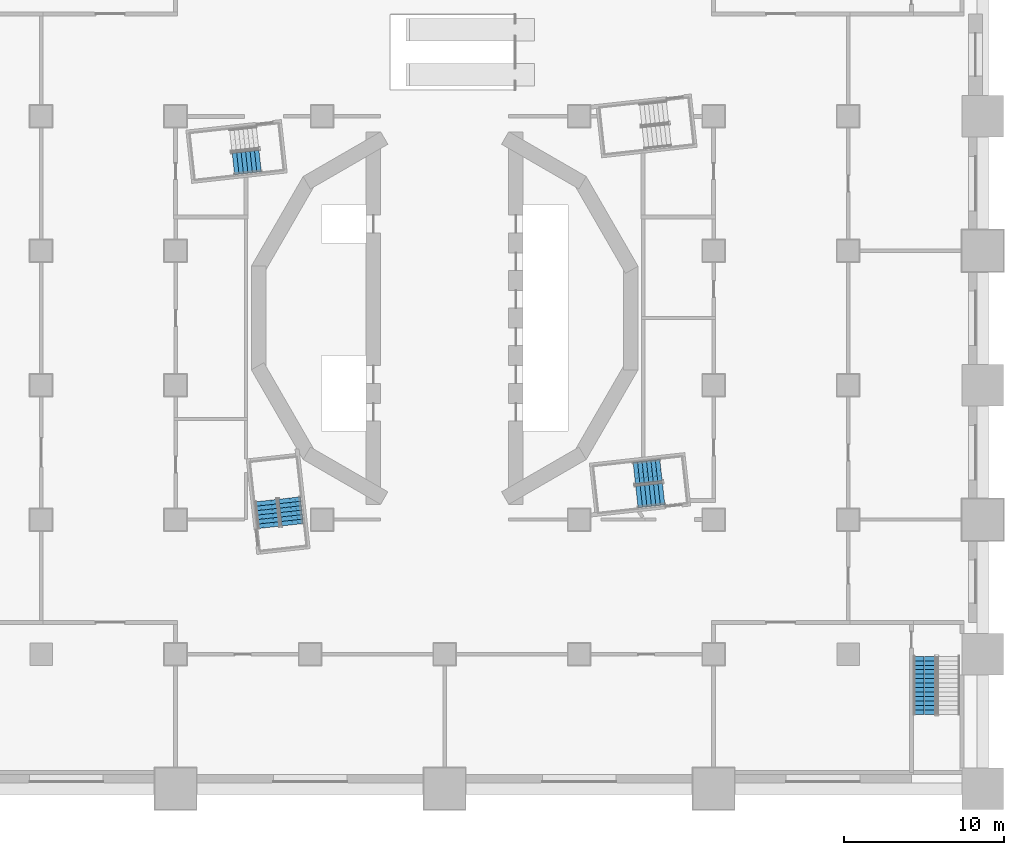
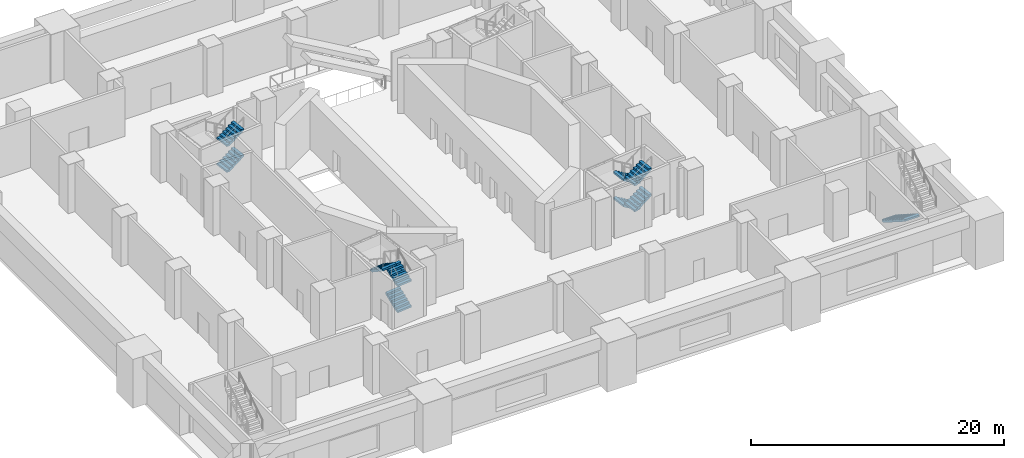
# One storey, part 6 of 18: 10 stair flights, 4 elements without a shape of their own.
"""IFC4 building model written with IfcOpenShell, lengths in metres."""

from ifc_helpers import new_model, si_unit, direction, frame, origin, place, context, subcontext, project, spatial, polyline, outline, extrude, material, type_object, element, aggregate, save


model = new_model("IFC4")

# Units and contexts
model_context = context("Model", 3, precision=1e-05, world=origin(), true_north=direction((0.0, 1.0)))
body_context = subcontext(model_context, "Body", "Model", "MODEL_VIEW")
ifc_project = project(units=[si_unit("LENGTHUNIT", "METRE"), si_unit("AREAUNIT", "SQUARE_METRE"), si_unit("VOLUMEUNIT", "CUBIC_METRE"), si_unit("PLANEANGLEUNIT", "RADIAN"), si_unit("MASSUNIT", "GRAM", prefix="KILO")], contexts=[model_context])

# Site, building, storey
site_placement = place(None, origin())
site = spatial("IfcSite", under=ifc_project, at=site_placement, CompositionType="ELEMENT")
building_placement = place(site_placement, origin())
building = spatial("IfcBuilding", under=site, at=building_placement, Name="Cantera Rosa Tower", CompositionType="ELEMENT")
storey_placement = place(building_placement, frame((0.0, 0.0, 17.0)))
storey = spatial("IfcBuildingStorey", under=building, at=storey_placement, Name="L02", CompositionType="ELEMENT", Elevation=17.0)

# Stair, stair flights
ifc_material_1 = material(Name="Concrete C35/45", Category="concrete")
stair_type_1 = type_object("IfcStairType", Name="EXIT STAIR 1350 DOGLEG", PredefinedType="HALF_TURN_STAIR", material=ifc_material_1)
stair_1_placement = place(storey_placement, origin())
stair_1 = element("IfcStair", 1, at=stair_1_placement, inside=storey, type_object=stair_type_1, Name="L02 ST-12", PredefinedType="HALF_TURN_STAIR")
ifc_material_2 = material(Name="Concrete C35/45", Category="concrete")
stair_flight_type_1 = type_object("IfcStairFlightType", Name="STAIR FLIGHT 1350 R28x179", PredefinedType="STRAIGHT", material=ifc_material_2)
stair_flight_1_placement = place(storey_placement, frame((-13.195556640625, 9.623779296875, 1.25), z_axis=(0.0, 0.0, 1.0), x_axis=(0.993896947056, 0.110312549749, 0.0)))
stair_flight_1 = element("IfcStairFlight", 2, at=stair_flight_1_placement, type_object=stair_flight_type_1, Name="ST-12 flight 2", NumberOfRisers=7, NumberOfTreads=6, PredefinedType="STRAIGHT", RiserHeight=0.178571429, TreadLength=0.28, context=body_context, shape_type="SweptSolid", body=[
    extrude(outline(polyline([(0.0, 0.0), (0.0, 0.178466796875), (0.280029296875, 0.178466796875), (0.280029296875, 0.357177734375), (0.56005859375, 0.357177734375), (0.56005859375, 0.53564453125), (0.840087890625, 0.53564453125), (0.840087890625, 0.71435546875), (1.1201171875, 0.71435546875), (1.1201171875, 0.892822265625), (1.39990234375, 0.892822265625), (1.39990234375, 1.071533203125), (1.679931640625, 1.071533203125), (1.679931640625, 1.25), (1.679931640625, 0.8935546875), (0.27880859375, 0.0), (0.0, 0.0)])), frame((0.0, 0.675048828125, 0.0), z_axis=(0.0, -1.0, 0.0), x_axis=(1.0, 0.0, 0.0)), (0.0, 0.0, 1.0), 0.3359375),
    extrude(outline(polyline([(0.0, 0.0), (0.0, 0.178466796875), (0.280029296875, 0.178466796875), (0.280029296875, 0.357177734375), (0.56005859375, 0.357177734375), (0.56005859375, 0.53564453125), (0.840087890625, 0.53564453125), (0.840087890625, 0.71435546875), (1.1201171875, 0.71435546875), (1.1201171875, 0.892822265625), (1.39990234375, 0.892822265625), (1.39990234375, 1.071533203125), (1.679931640625, 1.071533203125), (1.679931640625, 1.25), (1.679931640625, 0.8935546875), (0.27880859375, 0.0), (0.0, 0.0)])), frame((0.0, 0.337158203125, 0.0), z_axis=(0.0, -1.0, 0.0), x_axis=(1.0, 0.0, 0.0)), (0.0, 0.0, 1.0), 0.3359375),
    extrude(outline(polyline([(0.0, 0.0), (0.0, 0.178466796875), (0.280029296875, 0.178466796875), (0.280029296875, 0.357177734375), (0.56005859375, 0.357177734375), (0.56005859375, 0.53564453125), (0.840087890625, 0.53564453125), (0.840087890625, 0.71435546875), (1.1201171875, 0.71435546875), (1.1201171875, 0.892822265625), (1.39990234375, 0.892822265625), (1.39990234375, 1.071533203125), (1.679931640625, 1.071533203125), (1.679931640625, 1.25), (1.679931640625, 0.8935546875), (0.27880859375, 0.0), (0.0, 0.0)])), frame((0.0, -0.000732421875, 0.0), z_axis=(0.0, -1.0, 0.0), x_axis=(1.0, 0.0, 0.0)), (0.0, 0.0, 1.0), 0.3359375),
    extrude(outline(polyline([(0.0, 0.0), (0.0, 0.178466796875), (0.280029296875, 0.178466796875), (0.280029296875, 0.357177734375), (0.56005859375, 0.357177734375), (0.56005859375, 0.53564453125), (0.840087890625, 0.53564453125), (0.840087890625, 0.71435546875), (1.1201171875, 0.71435546875), (1.1201171875, 0.892822265625), (1.39990234375, 0.892822265625), (1.39990234375, 1.071533203125), (1.679931640625, 1.071533203125), (1.679931640625, 1.25), (1.679931640625, 0.8935546875), (0.27880859375, 0.0), (0.0, 0.0)])), frame((0.0, -0.338623046875, 0.0), z_axis=(0.0, -1.0, 0.0), x_axis=(1.0, 0.0, 0.0)), (0.0, 0.0, 1.0), 0.3359375),
])
stair_flight_2_placement = place(storey_placement, frame((-13.195556640625, 9.623779296875, 3.75), z_axis=(0.0, 0.0, 1.0), x_axis=(0.993896947056, 0.110312549749, 0.0)))
stair_flight_2 = element("IfcStairFlight", 3, at=stair_flight_2_placement, type_object=stair_flight_type_1, Name="ST-12 flight 4", NumberOfRisers=7, NumberOfTreads=6, PredefinedType="STRAIGHT", RiserHeight=0.178571429, TreadLength=0.28, context=body_context, shape_type="SweptSolid", body=[
    extrude(outline(polyline([(0.0, 0.0), (0.0, 0.178466796875), (0.280029296875, 0.178466796875), (0.280029296875, 0.357177734375), (0.56005859375, 0.357177734375), (0.56005859375, 0.53564453125), (0.840087890625, 0.53564453125), (0.840087890625, 0.71435546875), (1.1201171875, 0.71435546875), (1.1201171875, 0.892822265625), (1.39990234375, 0.892822265625), (1.39990234375, 1.071533203125), (1.679931640625, 1.071533203125), (1.679931640625, 1.25), (1.679931640625, 0.8935546875), (0.27880859375, 0.0), (0.0, 0.0)])), frame((0.0, 0.675048828125, 0.0), z_axis=(0.0, -1.0, 0.0), x_axis=(1.0, 0.0, 0.0)), (0.0, 0.0, 1.0), 0.3359375),
    extrude(outline(polyline([(0.0, 0.0), (0.0, 0.178466796875), (0.280029296875, 0.178466796875), (0.280029296875, 0.357177734375), (0.56005859375, 0.357177734375), (0.56005859375, 0.53564453125), (0.840087890625, 0.53564453125), (0.840087890625, 0.71435546875), (1.1201171875, 0.71435546875), (1.1201171875, 0.892822265625), (1.39990234375, 0.892822265625), (1.39990234375, 1.071533203125), (1.679931640625, 1.071533203125), (1.679931640625, 1.25), (1.679931640625, 0.8935546875), (0.27880859375, 0.0), (0.0, 0.0)])), frame((0.0, 0.337158203125, 0.0), z_axis=(0.0, -1.0, 0.0), x_axis=(1.0, 0.0, 0.0)), (0.0, 0.0, 1.0), 0.3359375),
    extrude(outline(polyline([(0.0, 0.0), (0.0, 0.178466796875), (0.280029296875, 0.178466796875), (0.280029296875, 0.357177734375), (0.56005859375, 0.357177734375), (0.56005859375, 0.53564453125), (0.840087890625, 0.53564453125), (0.840087890625, 0.71435546875), (1.1201171875, 0.71435546875), (1.1201171875, 0.892822265625), (1.39990234375, 0.892822265625), (1.39990234375, 1.071533203125), (1.679931640625, 1.071533203125), (1.679931640625, 1.25), (1.679931640625, 0.8935546875), (0.27880859375, 0.0), (0.0, 0.0)])), frame((0.0, -0.000732421875, 0.0), z_axis=(0.0, -1.0, 0.0), x_axis=(1.0, 0.0, 0.0)), (0.0, 0.0, 1.0), 0.3359375),
    extrude(outline(polyline([(0.0, 0.0), (0.0, 0.178466796875), (0.280029296875, 0.178466796875), (0.280029296875, 0.357177734375), (0.56005859375, 0.357177734375), (0.56005859375, 0.53564453125), (0.840087890625, 0.53564453125), (0.840087890625, 0.71435546875), (1.1201171875, 0.71435546875), (1.1201171875, 0.892822265625), (1.39990234375, 0.892822265625), (1.39990234375, 1.071533203125), (1.679931640625, 1.071533203125), (1.679931640625, 1.25), (1.679931640625, 0.8935546875), (0.27880859375, 0.0), (0.0, 0.0)])), frame((0.0, -0.338623046875, 0.0), z_axis=(0.0, -1.0, 0.0), x_axis=(1.0, 0.0, 0.0)), (0.0, 0.0, 1.0), 0.3359375),
])
aggregate(stair_1, [stair_flight_1, stair_flight_2])

stair_2_placement = place(storey_placement, origin())
stair_2 = element("IfcStair", 4, at=stair_2_placement, inside=storey, type_object=stair_type_1, Name="L02 ST-13", PredefinedType="HALF_TURN_STAIR")
stair_flight_3_placement = place(storey_placement, frame((-9.500244140625, -12.90869140625, 0.0), z_axis=(0.0, 0.0, 1.0), x_axis=(-0.110312549749, 0.993896947056, 0.0)))
stair_flight_3 = element("IfcStairFlight", 5, at=stair_flight_3_placement, type_object=stair_flight_type_1, Name="ST-13 flight 1", NumberOfRisers=7, NumberOfTreads=6, PredefinedType="STRAIGHT", RiserHeight=0.178571429, TreadLength=0.28, context=body_context, shape_type="SweptSolid", body=[
    extrude(outline(polyline([(0.0, 0.0), (0.0, 0.178466796875), (0.280029296875, 0.178466796875), (0.280029296875, 0.357177734375), (0.56005859375, 0.357177734375), (0.56005859375, 0.53564453125), (0.840087890625, 0.53564453125), (0.840087890625, 0.71435546875), (1.1201171875, 0.71435546875), (1.1201171875, 0.892822265625), (1.39990234375, 0.892822265625), (1.39990234375, 1.071533203125), (1.679931640625, 1.071533203125), (1.679931640625, 1.25), (1.679931640625, 0.8935546875), (0.27880859375, 0.0), (0.0, 0.0)])), frame((0.0, 0.675048828125, 0.0), z_axis=(0.0, -1.0, 0.0), x_axis=(1.0, 0.0, 0.0)), (0.0, 0.0, 1.0), 0.3359375),
    extrude(outline(polyline([(0.0, 0.0), (0.0, 0.178466796875), (0.280029296875, 0.178466796875), (0.280029296875, 0.357177734375), (0.56005859375, 0.357177734375), (0.56005859375, 0.53564453125), (0.840087890625, 0.53564453125), (0.840087890625, 0.71435546875), (1.1201171875, 0.71435546875), (1.1201171875, 0.892822265625), (1.39990234375, 0.892822265625), (1.39990234375, 1.071533203125), (1.679931640625, 1.071533203125), (1.679931640625, 1.25), (1.679931640625, 0.8935546875), (0.27880859375, 0.0), (0.0, 0.0)])), frame((0.0, 0.337158203125, 0.0), z_axis=(0.0, -1.0, 0.0), x_axis=(1.0, 0.0, 0.0)), (0.0, 0.0, 1.0), 0.3359375),
    extrude(outline(polyline([(0.0, 0.0), (0.0, 0.178466796875), (0.280029296875, 0.178466796875), (0.280029296875, 0.357177734375), (0.56005859375, 0.357177734375), (0.56005859375, 0.53564453125), (0.840087890625, 0.53564453125), (0.840087890625, 0.71435546875), (1.1201171875, 0.71435546875), (1.1201171875, 0.892822265625), (1.39990234375, 0.892822265625), (1.39990234375, 1.071533203125), (1.679931640625, 1.071533203125), (1.679931640625, 1.25), (1.679931640625, 0.8935546875), (0.27880859375, 0.0), (0.0, 0.0)])), frame((0.0, -0.000732421875, 0.0), z_axis=(0.0, -1.0, 0.0), x_axis=(1.0, 0.0, 0.0)), (0.0, 0.0, 1.0), 0.3359375),
    extrude(outline(polyline([(0.0, 0.0), (0.0, 0.178466796875), (0.280029296875, 0.178466796875), (0.280029296875, 0.357177734375), (0.56005859375, 0.357177734375), (0.56005859375, 0.53564453125), (0.840087890625, 0.53564453125), (0.840087890625, 0.71435546875), (1.1201171875, 0.71435546875), (1.1201171875, 0.892822265625), (1.39990234375, 0.892822265625), (1.39990234375, 1.071533203125), (1.679931640625, 1.071533203125), (1.679931640625, 1.25), (1.679931640625, 0.8935546875), (0.27880859375, 0.0), (0.0, 0.0)])), frame((0.0, -0.338623046875, 0.0), z_axis=(0.0, -1.0, 0.0), x_axis=(1.0, 0.0, 0.0)), (0.0, 0.0, 1.0), 0.3359375),
])
stair_flight_4_placement = place(storey_placement, frame((-9.500244140625, -12.90869140625, 2.5), z_axis=(0.0, 0.0, 1.0), x_axis=(-0.110312549749, 0.993896947056, 0.0)))
stair_flight_4 = element("IfcStairFlight", 6, at=stair_flight_4_placement, type_object=stair_flight_type_1, Name="ST-13 flight 3", NumberOfRisers=7, NumberOfTreads=6, PredefinedType="STRAIGHT", RiserHeight=0.178571429, TreadLength=0.28, context=body_context, shape_type="SweptSolid", body=[
    extrude(outline(polyline([(0.0, 0.0), (0.0, 0.178466796875), (0.280029296875, 0.178466796875), (0.280029296875, 0.357177734375), (0.56005859375, 0.357177734375), (0.56005859375, 0.53564453125), (0.840087890625, 0.53564453125), (0.840087890625, 0.71435546875), (1.1201171875, 0.71435546875), (1.1201171875, 0.892822265625), (1.39990234375, 0.892822265625), (1.39990234375, 1.071533203125), (1.679931640625, 1.071533203125), (1.679931640625, 1.25), (1.679931640625, 0.8935546875), (0.27880859375, 0.0), (0.0, 0.0)])), frame((0.0, 0.675048828125, 0.0), z_axis=(0.0, -1.0, 0.0), x_axis=(1.0, 0.0, 0.0)), (0.0, 0.0, 1.0), 0.3359375),
    extrude(outline(polyline([(0.0, 0.0), (0.0, 0.178466796875), (0.280029296875, 0.178466796875), (0.280029296875, 0.357177734375), (0.56005859375, 0.357177734375), (0.56005859375, 0.53564453125), (0.840087890625, 0.53564453125), (0.840087890625, 0.71435546875), (1.1201171875, 0.71435546875), (1.1201171875, 0.892822265625), (1.39990234375, 0.892822265625), (1.39990234375, 1.071533203125), (1.679931640625, 1.071533203125), (1.679931640625, 1.25), (1.679931640625, 0.8935546875), (0.27880859375, 0.0), (0.0, 0.0)])), frame((0.0, 0.337158203125, 0.0), z_axis=(0.0, -1.0, 0.0), x_axis=(1.0, 0.0, 0.0)), (0.0, 0.0, 1.0), 0.3359375),
    extrude(outline(polyline([(0.0, 0.0), (0.0, 0.178466796875), (0.280029296875, 0.178466796875), (0.280029296875, 0.357177734375), (0.56005859375, 0.357177734375), (0.56005859375, 0.53564453125), (0.840087890625, 0.53564453125), (0.840087890625, 0.71435546875), (1.1201171875, 0.71435546875), (1.1201171875, 0.892822265625), (1.39990234375, 0.892822265625), (1.39990234375, 1.071533203125), (1.679931640625, 1.071533203125), (1.679931640625, 1.25), (1.679931640625, 0.8935546875), (0.27880859375, 0.0), (0.0, 0.0)])), frame((0.0, -0.000732421875, 0.0), z_axis=(0.0, -1.0, 0.0), x_axis=(1.0, 0.0, 0.0)), (0.0, 0.0, 1.0), 0.3359375),
    extrude(outline(polyline([(0.0, 0.0), (0.0, 0.178466796875), (0.280029296875, 0.178466796875), (0.280029296875, 0.357177734375), (0.56005859375, 0.357177734375), (0.56005859375, 0.53564453125), (0.840087890625, 0.53564453125), (0.840087890625, 0.71435546875), (1.1201171875, 0.71435546875), (1.1201171875, 0.892822265625), (1.39990234375, 0.892822265625), (1.39990234375, 1.071533203125), (1.679931640625, 1.071533203125), (1.679931640625, 1.25), (1.679931640625, 0.8935546875), (0.27880859375, 0.0), (0.0, 0.0)])), frame((0.0, -0.338623046875, 0.0), z_axis=(0.0, -1.0, 0.0), x_axis=(1.0, 0.0, 0.0)), (0.0, 0.0, 1.0), 0.3359375),
])
stair_flight_5_placement = place(storey_placement, frame((-11.17626953125, -11.404541015625, 3.75), z_axis=(0.0, 0.0, 1.0), x_axis=(0.110312549749, -0.993896947056, 0.0)))
stair_flight_5 = element("IfcStairFlight", 7, at=stair_flight_5_placement, type_object=stair_flight_type_1, Name="ST-13 flight 4", NumberOfRisers=7, NumberOfTreads=6, PredefinedType="STRAIGHT", RiserHeight=0.178571429, TreadLength=0.28, context=body_context, shape_type="SweptSolid", body=[
    extrude(outline(polyline([(0.0, 0.0), (0.0, 0.178466796875), (0.280029296875, 0.178466796875), (0.280029296875, 0.357177734375), (0.56005859375, 0.357177734375), (0.56005859375, 0.53564453125), (0.840087890625, 0.53564453125), (0.840087890625, 0.71435546875), (1.1201171875, 0.71435546875), (1.1201171875, 0.892822265625), (1.39990234375, 0.892822265625), (1.39990234375, 1.071533203125), (1.679931640625, 1.071533203125), (1.679931640625, 1.25), (1.679931640625, 0.8935546875), (0.27880859375, 0.0), (0.0, 0.0)])), frame((0.0, 0.675048828125, 0.0), z_axis=(0.0, -1.0, 0.0), x_axis=(1.0, 0.0, 0.0)), (0.0, 0.0, 1.0), 0.3359375),
    extrude(outline(polyline([(0.0, 0.0), (0.0, 0.178466796875), (0.280029296875, 0.178466796875), (0.280029296875, 0.357177734375), (0.56005859375, 0.357177734375), (0.56005859375, 0.53564453125), (0.840087890625, 0.53564453125), (0.840087890625, 0.71435546875), (1.1201171875, 0.71435546875), (1.1201171875, 0.892822265625), (1.39990234375, 0.892822265625), (1.39990234375, 1.071533203125), (1.679931640625, 1.071533203125), (1.679931640625, 1.25), (1.679931640625, 0.8935546875), (0.27880859375, 0.0), (0.0, 0.0)])), frame((0.0, 0.337158203125, 0.0), z_axis=(0.0, -1.0, 0.0), x_axis=(1.0, 0.0, 0.0)), (0.0, 0.0, 1.0), 0.3359375),
    extrude(outline(polyline([(0.0, 0.0), (0.0, 0.178466796875), (0.280029296875, 0.178466796875), (0.280029296875, 0.357177734375), (0.56005859375, 0.357177734375), (0.56005859375, 0.53564453125), (0.840087890625, 0.53564453125), (0.840087890625, 0.71435546875), (1.1201171875, 0.71435546875), (1.1201171875, 0.892822265625), (1.39990234375, 0.892822265625), (1.39990234375, 1.071533203125), (1.679931640625, 1.071533203125), (1.679931640625, 1.25), (1.679931640625, 0.8935546875), (0.27880859375, 0.0), (0.0, 0.0)])), frame((0.0, -0.000732421875, 0.0), z_axis=(0.0, -1.0, 0.0), x_axis=(1.0, 0.0, 0.0)), (0.0, 0.0, 1.0), 0.3359375),
    extrude(outline(polyline([(0.0, 0.0), (0.0, 0.178466796875), (0.280029296875, 0.178466796875), (0.280029296875, 0.357177734375), (0.56005859375, 0.357177734375), (0.56005859375, 0.53564453125), (0.840087890625, 0.53564453125), (0.840087890625, 0.71435546875), (1.1201171875, 0.71435546875), (1.1201171875, 0.892822265625), (1.39990234375, 0.892822265625), (1.39990234375, 1.071533203125), (1.679931640625, 1.071533203125), (1.679931640625, 1.25), (1.679931640625, 0.8935546875), (0.27880859375, 0.0), (0.0, 0.0)])), frame((0.0, -0.338623046875, 0.0), z_axis=(0.0, -1.0, 0.0), x_axis=(1.0, 0.0, 0.0)), (0.0, 0.0, 1.0), 0.3359375),
])
aggregate(stair_2, [stair_flight_3, stair_flight_4, stair_flight_5])

stair_3_placement = place(storey_placement, origin())
stair_3 = element("IfcStair", 8, at=stair_3_placement, inside=storey, type_object=stair_type_1, Name="L02 ST-14", PredefinedType="HALF_TURN_STAIR")
stair_flight_6_placement = place(storey_placement, frame((13.5087890625, -9.500244140625, 0.0), z_axis=(0.0, 0.0, 1.0), x_axis=(-0.993896947056, -0.110312549749, 0.0)))
stair_flight_6 = element("IfcStairFlight", 9, at=stair_flight_6_placement, type_object=stair_flight_type_1, Name="ST-14 flight 1", NumberOfRisers=7, NumberOfTreads=6, PredefinedType="STRAIGHT", RiserHeight=0.178571429, TreadLength=0.28, context=body_context, shape_type="SweptSolid", body=[
    extrude(outline(polyline([(0.0, 0.0), (0.0, 0.178466796875), (0.280029296875, 0.178466796875), (0.280029296875, 0.357177734375), (0.56005859375, 0.357177734375), (0.56005859375, 0.53564453125), (0.840087890625, 0.53564453125), (0.840087890625, 0.71435546875), (1.1201171875, 0.71435546875), (1.1201171875, 0.892822265625), (1.39990234375, 0.892822265625), (1.39990234375, 1.071533203125), (1.679931640625, 1.071533203125), (1.679931640625, 1.25), (1.679931640625, 0.8935546875), (0.27880859375, 0.0), (0.0, 0.0)])), frame((0.0, 0.675048828125, 0.0), z_axis=(0.0, -1.0, 0.0), x_axis=(1.0, 0.0, 0.0)), (0.0, 0.0, 1.0), 0.3359375),
    extrude(outline(polyline([(0.0, 0.0), (0.0, 0.178466796875), (0.280029296875, 0.178466796875), (0.280029296875, 0.357177734375), (0.56005859375, 0.357177734375), (0.56005859375, 0.53564453125), (0.840087890625, 0.53564453125), (0.840087890625, 0.71435546875), (1.1201171875, 0.71435546875), (1.1201171875, 0.892822265625), (1.39990234375, 0.892822265625), (1.39990234375, 1.071533203125), (1.679931640625, 1.071533203125), (1.679931640625, 1.25), (1.679931640625, 0.8935546875), (0.27880859375, 0.0), (0.0, 0.0)])), frame((0.0, 0.337158203125, 0.0), z_axis=(0.0, -1.0, 0.0), x_axis=(1.0, 0.0, 0.0)), (0.0, 0.0, 1.0), 0.3359375),
    extrude(outline(polyline([(0.0, 0.0), (0.0, 0.178466796875), (0.280029296875, 0.178466796875), (0.280029296875, 0.357177734375), (0.56005859375, 0.357177734375), (0.56005859375, 0.53564453125), (0.840087890625, 0.53564453125), (0.840087890625, 0.71435546875), (1.1201171875, 0.71435546875), (1.1201171875, 0.892822265625), (1.39990234375, 0.892822265625), (1.39990234375, 1.071533203125), (1.679931640625, 1.071533203125), (1.679931640625, 1.25), (1.679931640625, 0.8935546875), (0.27880859375, 0.0), (0.0, 0.0)])), frame((0.0, -0.000732421875, 0.0), z_axis=(0.0, -1.0, 0.0), x_axis=(1.0, 0.0, 0.0)), (0.0, 0.0, 1.0), 0.3359375),
    extrude(outline(polyline([(0.0, 0.0), (0.0, 0.178466796875), (0.280029296875, 0.178466796875), (0.280029296875, 0.357177734375), (0.56005859375, 0.357177734375), (0.56005859375, 0.53564453125), (0.840087890625, 0.53564453125), (0.840087890625, 0.71435546875), (1.1201171875, 0.71435546875), (1.1201171875, 0.892822265625), (1.39990234375, 0.892822265625), (1.39990234375, 1.071533203125), (1.679931640625, 1.071533203125), (1.679931640625, 1.25), (1.679931640625, 0.8935546875), (0.27880859375, 0.0), (0.0, 0.0)])), frame((0.0, -0.338623046875, 0.0), z_axis=(0.0, -1.0, 0.0), x_axis=(1.0, 0.0, 0.0)), (0.0, 0.0, 1.0), 0.3359375),
])
stair_flight_7_placement = place(storey_placement, frame((12.00439453125, -11.17626953125, 1.25), z_axis=(0.0, 0.0, 1.0), x_axis=(0.993896947056, 0.110312549749, 0.0)))
stair_flight_7 = element("IfcStairFlight", 10, at=stair_flight_7_placement, type_object=stair_flight_type_1, Name="ST-14 flight 2", NumberOfRisers=7, NumberOfTreads=6, PredefinedType="STRAIGHT", RiserHeight=0.178571429, TreadLength=0.28, context=body_context, shape_type="SweptSolid", body=[
    extrude(outline(polyline([(0.0, 0.0), (0.0, 0.178466796875), (0.280029296875, 0.178466796875), (0.280029296875, 0.357177734375), (0.56005859375, 0.357177734375), (0.56005859375, 0.53564453125), (0.840087890625, 0.53564453125), (0.840087890625, 0.71435546875), (1.1201171875, 0.71435546875), (1.1201171875, 0.892822265625), (1.39990234375, 0.892822265625), (1.39990234375, 1.071533203125), (1.679931640625, 1.071533203125), (1.679931640625, 1.25), (1.679931640625, 0.8935546875), (0.27880859375, 0.0), (0.0, 0.0)])), frame((0.0, 0.675048828125, 0.0), z_axis=(0.0, -1.0, 0.0), x_axis=(1.0, 0.0, 0.0)), (0.0, 0.0, 1.0), 0.3359375),
    extrude(outline(polyline([(0.0, 0.0), (0.0, 0.178466796875), (0.280029296875, 0.178466796875), (0.280029296875, 0.357177734375), (0.56005859375, 0.357177734375), (0.56005859375, 0.53564453125), (0.840087890625, 0.53564453125), (0.840087890625, 0.71435546875), (1.1201171875, 0.71435546875), (1.1201171875, 0.892822265625), (1.39990234375, 0.892822265625), (1.39990234375, 1.071533203125), (1.679931640625, 1.071533203125), (1.679931640625, 1.25), (1.679931640625, 0.8935546875), (0.27880859375, 0.0), (0.0, 0.0)])), frame((0.0, 0.337158203125, 0.0), z_axis=(0.0, -1.0, 0.0), x_axis=(1.0, 0.0, 0.0)), (0.0, 0.0, 1.0), 0.3359375),
    extrude(outline(polyline([(0.0, 0.0), (0.0, 0.178466796875), (0.280029296875, 0.178466796875), (0.280029296875, 0.357177734375), (0.56005859375, 0.357177734375), (0.56005859375, 0.53564453125), (0.840087890625, 0.53564453125), (0.840087890625, 0.71435546875), (1.1201171875, 0.71435546875), (1.1201171875, 0.892822265625), (1.39990234375, 0.892822265625), (1.39990234375, 1.071533203125), (1.679931640625, 1.071533203125), (1.679931640625, 1.25), (1.679931640625, 0.8935546875), (0.27880859375, 0.0), (0.0, 0.0)])), frame((0.0, -0.000732421875, 0.0), z_axis=(0.0, -1.0, 0.0), x_axis=(1.0, 0.0, 0.0)), (0.0, 0.0, 1.0), 0.3359375),
    extrude(outline(polyline([(0.0, 0.0), (0.0, 0.178466796875), (0.280029296875, 0.178466796875), (0.280029296875, 0.357177734375), (0.56005859375, 0.357177734375), (0.56005859375, 0.53564453125), (0.840087890625, 0.53564453125), (0.840087890625, 0.71435546875), (1.1201171875, 0.71435546875), (1.1201171875, 0.892822265625), (1.39990234375, 0.892822265625), (1.39990234375, 1.071533203125), (1.679931640625, 1.071533203125), (1.679931640625, 1.25), (1.679931640625, 0.8935546875), (0.27880859375, 0.0), (0.0, 0.0)])), frame((0.0, -0.338623046875, 0.0), z_axis=(0.0, -1.0, 0.0), x_axis=(1.0, 0.0, 0.0)), (0.0, 0.0, 1.0), 0.3359375),
])
stair_flight_8_placement = place(storey_placement, frame((13.5087890625, -9.500244140625, 2.5), z_axis=(0.0, 0.0, 1.0), x_axis=(-0.993896947056, -0.110312549749, 0.0)))
stair_flight_8 = element("IfcStairFlight", 11, at=stair_flight_8_placement, type_object=stair_flight_type_1, Name="ST-14 flight 3", NumberOfRisers=7, NumberOfTreads=6, PredefinedType="STRAIGHT", RiserHeight=0.178571429, TreadLength=0.28, context=body_context, shape_type="SweptSolid", body=[
    extrude(outline(polyline([(0.0, 0.0), (0.0, 0.178466796875), (0.280029296875, 0.178466796875), (0.280029296875, 0.357177734375), (0.56005859375, 0.357177734375), (0.56005859375, 0.53564453125), (0.840087890625, 0.53564453125), (0.840087890625, 0.71435546875), (1.1201171875, 0.71435546875), (1.1201171875, 0.892822265625), (1.39990234375, 0.892822265625), (1.39990234375, 1.071533203125), (1.679931640625, 1.071533203125), (1.679931640625, 1.25), (1.679931640625, 0.8935546875), (0.27880859375, 0.0), (0.0, 0.0)])), frame((0.0, 0.675048828125, 0.0), z_axis=(0.0, -1.0, 0.0), x_axis=(1.0, 0.0, 0.0)), (0.0, 0.0, 1.0), 0.3359375),
    extrude(outline(polyline([(0.0, 0.0), (0.0, 0.178466796875), (0.280029296875, 0.178466796875), (0.280029296875, 0.357177734375), (0.56005859375, 0.357177734375), (0.56005859375, 0.53564453125), (0.840087890625, 0.53564453125), (0.840087890625, 0.71435546875), (1.1201171875, 0.71435546875), (1.1201171875, 0.892822265625), (1.39990234375, 0.892822265625), (1.39990234375, 1.071533203125), (1.679931640625, 1.071533203125), (1.679931640625, 1.25), (1.679931640625, 0.8935546875), (0.27880859375, 0.0), (0.0, 0.0)])), frame((0.0, 0.337158203125, 0.0), z_axis=(0.0, -1.0, 0.0), x_axis=(1.0, 0.0, 0.0)), (0.0, 0.0, 1.0), 0.3359375),
    extrude(outline(polyline([(0.0, 0.0), (0.0, 0.178466796875), (0.280029296875, 0.178466796875), (0.280029296875, 0.357177734375), (0.56005859375, 0.357177734375), (0.56005859375, 0.53564453125), (0.840087890625, 0.53564453125), (0.840087890625, 0.71435546875), (1.1201171875, 0.71435546875), (1.1201171875, 0.892822265625), (1.39990234375, 0.892822265625), (1.39990234375, 1.071533203125), (1.679931640625, 1.071533203125), (1.679931640625, 1.25), (1.679931640625, 0.8935546875), (0.27880859375, 0.0), (0.0, 0.0)])), frame((0.0, -0.000732421875, 0.0), z_axis=(0.0, -1.0, 0.0), x_axis=(1.0, 0.0, 0.0)), (0.0, 0.0, 1.0), 0.3359375),
    extrude(outline(polyline([(0.0, 0.0), (0.0, 0.178466796875), (0.280029296875, 0.178466796875), (0.280029296875, 0.357177734375), (0.56005859375, 0.357177734375), (0.56005859375, 0.53564453125), (0.840087890625, 0.53564453125), (0.840087890625, 0.71435546875), (1.1201171875, 0.71435546875), (1.1201171875, 0.892822265625), (1.39990234375, 0.892822265625), (1.39990234375, 1.071533203125), (1.679931640625, 1.071533203125), (1.679931640625, 1.25), (1.679931640625, 0.8935546875), (0.27880859375, 0.0), (0.0, 0.0)])), frame((0.0, -0.338623046875, 0.0), z_axis=(0.0, -1.0, 0.0), x_axis=(1.0, 0.0, 0.0)), (0.0, 0.0, 1.0), 0.3359375),
])
stair_flight_9_placement = place(storey_placement, frame((12.00439453125, -11.17626953125, 3.75), z_axis=(0.0, 0.0, 1.0), x_axis=(0.993896947056, 0.110312549749, 0.0)))
stair_flight_9 = element("IfcStairFlight", 12, at=stair_flight_9_placement, type_object=stair_flight_type_1, Name="ST-14 flight 4", NumberOfRisers=7, NumberOfTreads=6, PredefinedType="STRAIGHT", RiserHeight=0.178571429, TreadLength=0.28, context=body_context, shape_type="SweptSolid", body=[
    extrude(outline(polyline([(0.0, 0.0), (0.0, 0.178466796875), (0.280029296875, 0.178466796875), (0.280029296875, 0.357177734375), (0.56005859375, 0.357177734375), (0.56005859375, 0.53564453125), (0.840087890625, 0.53564453125), (0.840087890625, 0.71435546875), (1.1201171875, 0.71435546875), (1.1201171875, 0.892822265625), (1.39990234375, 0.892822265625), (1.39990234375, 1.071533203125), (1.679931640625, 1.071533203125), (1.679931640625, 1.25), (1.679931640625, 0.8935546875), (0.27880859375, 0.0), (0.0, 0.0)])), frame((0.0, 0.675048828125, 0.0), z_axis=(0.0, -1.0, 0.0), x_axis=(1.0, 0.0, 0.0)), (0.0, 0.0, 1.0), 0.3359375),
    extrude(outline(polyline([(0.0, 0.0), (0.0, 0.178466796875), (0.280029296875, 0.178466796875), (0.280029296875, 0.357177734375), (0.56005859375, 0.357177734375), (0.56005859375, 0.53564453125), (0.840087890625, 0.53564453125), (0.840087890625, 0.71435546875), (1.1201171875, 0.71435546875), (1.1201171875, 0.892822265625), (1.39990234375, 0.892822265625), (1.39990234375, 1.071533203125), (1.679931640625, 1.071533203125), (1.679931640625, 1.25), (1.679931640625, 0.8935546875), (0.27880859375, 0.0), (0.0, 0.0)])), frame((0.0, 0.337158203125, 0.0), z_axis=(0.0, -1.0, 0.0), x_axis=(1.0, 0.0, 0.0)), (0.0, 0.0, 1.0), 0.3359375),
    extrude(outline(polyline([(0.0, 0.0), (0.0, 0.178466796875), (0.280029296875, 0.178466796875), (0.280029296875, 0.357177734375), (0.56005859375, 0.357177734375), (0.56005859375, 0.53564453125), (0.840087890625, 0.53564453125), (0.840087890625, 0.71435546875), (1.1201171875, 0.71435546875), (1.1201171875, 0.892822265625), (1.39990234375, 0.892822265625), (1.39990234375, 1.071533203125), (1.679931640625, 1.071533203125), (1.679931640625, 1.25), (1.679931640625, 0.8935546875), (0.27880859375, 0.0), (0.0, 0.0)])), frame((0.0, -0.000732421875, 0.0), z_axis=(0.0, -1.0, 0.0), x_axis=(1.0, 0.0, 0.0)), (0.0, 0.0, 1.0), 0.3359375),
    extrude(outline(polyline([(0.0, 0.0), (0.0, 0.178466796875), (0.280029296875, 0.178466796875), (0.280029296875, 0.357177734375), (0.56005859375, 0.357177734375), (0.56005859375, 0.53564453125), (0.840087890625, 0.53564453125), (0.840087890625, 0.71435546875), (1.1201171875, 0.71435546875), (1.1201171875, 0.892822265625), (1.39990234375, 0.892822265625), (1.39990234375, 1.071533203125), (1.679931640625, 1.071533203125), (1.679931640625, 1.25), (1.679931640625, 0.8935546875), (0.27880859375, 0.0), (0.0, 0.0)])), frame((0.0, -0.338623046875, 0.0), z_axis=(0.0, -1.0, 0.0), x_axis=(1.0, 0.0, 0.0)), (0.0, 0.0, 1.0), 0.3359375),
])
aggregate(stair_3, [stair_flight_6, stair_flight_7, stair_flight_8, stair_flight_9])

# Stair, stair flight
ifc_material_3 = material(Name="Concrete C35/45", Category="concrete")
stair_type_2 = type_object("IfcStairType", Name="Stair half-turn 1350", PredefinedType="HALF_TURN_STAIR", material=ifc_material_3)
stair_4_placement = place(storey_placement, origin())
stair_4 = element("IfcStair", 13, at=stair_4_placement, inside=storey, type_object=stair_type_2, Name="L02 ST-SE", PredefinedType="HALF_TURN_STAIR")
ifc_material_4 = material(Name="Concrete C35/45", Category="concrete")
stair_flight_type_2 = type_object("IfcStairFlightType", Name="Stair flight 1350", PredefinedType="STRAIGHT", material=ifc_material_4)
stair_flight_10_placement = place(storey_placement, frame((29.949951171875, -21.125, 0.0), z_axis=(0.0, 0.0, 1.0), x_axis=(0.0, -1.0, 0.0)))
stair_flight_10 = element("IfcStairFlight", 14, at=stair_flight_10_placement, type_object=stair_flight_type_2, Name="ST-SE flight 1", NumberOfRisers=14, NumberOfTreads=13, PredefinedType="STRAIGHT", RiserHeight=0.178571429, TreadLength=0.28, context=body_context, shape_type="SweptSolid", body=[
    extrude(outline(polyline([(0.0, 0.0), (0.0, 0.178466796875), (0.280029296875, 0.178466796875), (0.280029296875, 0.357177734375), (0.56005859375, 0.357177734375), (0.56005859375, 0.53564453125), (0.840087890625, 0.53564453125), (0.840087890625, 0.71435546875), (1.1201171875, 0.71435546875), (1.1201171875, 0.892822265625), (1.39990234375, 0.892822265625), (1.39990234375, 1.071533203125), (1.679931640625, 1.071533203125), (1.679931640625, 1.25), (1.9599609375, 1.25), (1.9599609375, 1.428466796875), (2.239990234375, 1.428466796875), (2.239990234375, 1.607177734375), (2.52001953125, 1.607177734375), (2.52001953125, 1.78564453125), (2.800048828125, 1.78564453125), (2.800048828125, 1.96435546875), (3.080078125, 1.96435546875), (3.080078125, 2.142822265625), (3.360107421875, 2.142822265625), (3.360107421875, 2.321533203125), (3.639892578125, 2.321533203125), (3.639892578125, 2.5), (3.639892578125, 2.1435546875), (0.27880859375, 0.0), (0.0, 0.0)])), frame((0.0, 0.675048828125, 0.0), z_axis=(0.0, -1.0, 0.0), x_axis=(1.0, 0.0, 0.0)), (0.0, 0.0, 1.0), 0.3359375),
    extrude(outline(polyline([(0.0, 0.0), (0.0, 0.178466796875), (0.280029296875, 0.178466796875), (0.280029296875, 0.357177734375), (0.56005859375, 0.357177734375), (0.56005859375, 0.53564453125), (0.840087890625, 0.53564453125), (0.840087890625, 0.71435546875), (1.1201171875, 0.71435546875), (1.1201171875, 0.892822265625), (1.39990234375, 0.892822265625), (1.39990234375, 1.071533203125), (1.679931640625, 1.071533203125), (1.679931640625, 1.25), (1.9599609375, 1.25), (1.9599609375, 1.428466796875), (2.239990234375, 1.428466796875), (2.239990234375, 1.607177734375), (2.52001953125, 1.607177734375), (2.52001953125, 1.78564453125), (2.800048828125, 1.78564453125), (2.800048828125, 1.96435546875), (3.080078125, 1.96435546875), (3.080078125, 2.142822265625), (3.360107421875, 2.142822265625), (3.360107421875, 2.321533203125), (3.639892578125, 2.321533203125), (3.639892578125, 2.5), (3.639892578125, 2.1435546875), (0.27880859375, 0.0), (0.0, 0.0)])), frame((0.0, 0.337158203125, 0.0), z_axis=(0.0, -1.0, 0.0), x_axis=(1.0, 0.0, 0.0)), (0.0, 0.0, 1.0), 0.3359375),
    extrude(outline(polyline([(0.0, 0.0), (0.0, 0.178466796875), (0.280029296875, 0.178466796875), (0.280029296875, 0.357177734375), (0.56005859375, 0.357177734375), (0.56005859375, 0.53564453125), (0.840087890625, 0.53564453125), (0.840087890625, 0.71435546875), (1.1201171875, 0.71435546875), (1.1201171875, 0.892822265625), (1.39990234375, 0.892822265625), (1.39990234375, 1.071533203125), (1.679931640625, 1.071533203125), (1.679931640625, 1.25), (1.9599609375, 1.25), (1.9599609375, 1.428466796875), (2.239990234375, 1.428466796875), (2.239990234375, 1.607177734375), (2.52001953125, 1.607177734375), (2.52001953125, 1.78564453125), (2.800048828125, 1.78564453125), (2.800048828125, 1.96435546875), (3.080078125, 1.96435546875), (3.080078125, 2.142822265625), (3.360107421875, 2.142822265625), (3.360107421875, 2.321533203125), (3.639892578125, 2.321533203125), (3.639892578125, 2.5), (3.639892578125, 2.1435546875), (0.27880859375, 0.0), (0.0, 0.0)])), frame((0.0, -0.000732421875, 0.0), z_axis=(0.0, -1.0, 0.0), x_axis=(1.0, 0.0, 0.0)), (0.0, 0.0, 1.0), 0.3359375),
    extrude(outline(polyline([(0.0, 0.0), (0.0, 0.178466796875), (0.280029296875, 0.178466796875), (0.280029296875, 0.357177734375), (0.56005859375, 0.357177734375), (0.56005859375, 0.53564453125), (0.840087890625, 0.53564453125), (0.840087890625, 0.71435546875), (1.1201171875, 0.71435546875), (1.1201171875, 0.892822265625), (1.39990234375, 0.892822265625), (1.39990234375, 1.071533203125), (1.679931640625, 1.071533203125), (1.679931640625, 1.25), (1.9599609375, 1.25), (1.9599609375, 1.428466796875), (2.239990234375, 1.428466796875), (2.239990234375, 1.607177734375), (2.52001953125, 1.607177734375), (2.52001953125, 1.78564453125), (2.800048828125, 1.78564453125), (2.800048828125, 1.96435546875), (3.080078125, 1.96435546875), (3.080078125, 2.142822265625), (3.360107421875, 2.142822265625), (3.360107421875, 2.321533203125), (3.639892578125, 2.321533203125), (3.639892578125, 2.5), (3.639892578125, 2.1435546875), (0.27880859375, 0.0), (0.0, 0.0)])), frame((0.0, -0.338623046875, 0.0), z_axis=(0.0, -1.0, 0.0), x_axis=(1.0, 0.0, 0.0)), (0.0, 0.0, 1.0), 0.3359375),
])
aggregate(stair_4, [stair_flight_10])

save(model, "model.ifc")
